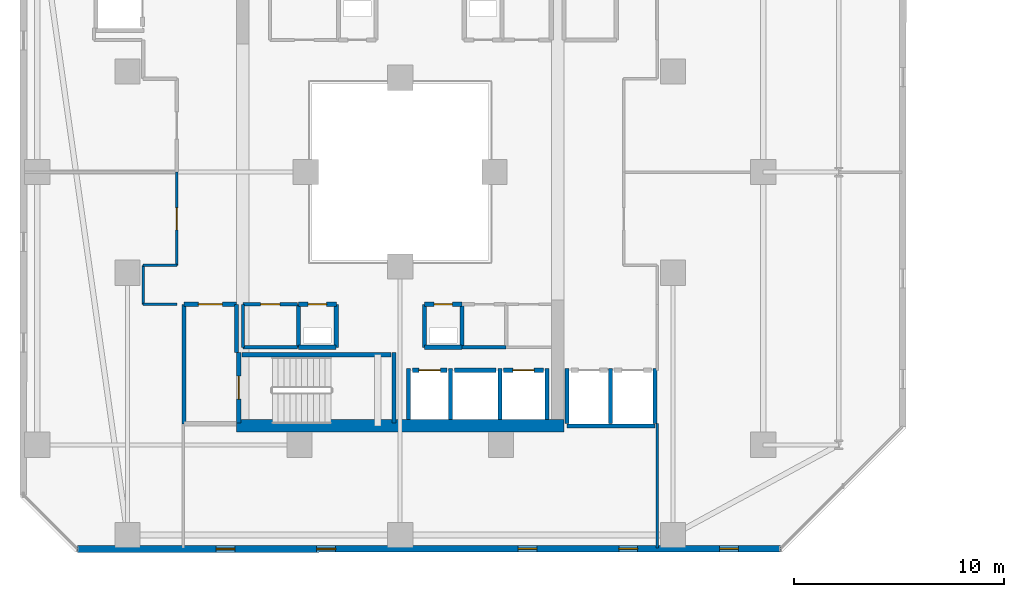
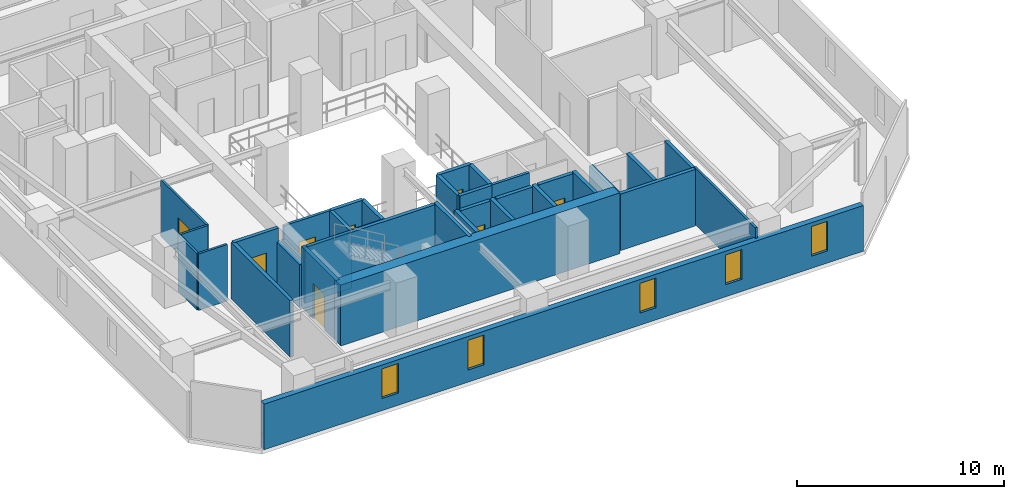
# One storey, part 16 of 30: 36 walls, 8 doors, 5 windows, 13 openings.
"""IFC4 building model written with IfcOpenShell, lengths in metres."""

from ifc_helpers import new_model, si_unit, direction, frame, frame_2d, origin, place, context, subcontext, project, spatial, rectangle, extrude, material, layer, layer_set, type_object, element, fill, save


model = new_model("IFC4")

# Units and contexts
model_context = context("Model", 3, precision=1e-05, world=origin(), true_north=direction((0.0, 1.0)))
body_context = subcontext(model_context, "Body", "Model", "MODEL_VIEW")
ifc_project = project(units=[si_unit("LENGTHUNIT", "METRE"), si_unit("AREAUNIT", "SQUARE_METRE"), si_unit("VOLUMEUNIT", "CUBIC_METRE"), si_unit("PLANEANGLEUNIT", "RADIAN"), si_unit("MASSUNIT", "GRAM", prefix="KILO")], contexts=[model_context])

# Site, building, storey
site_placement = place(None, origin())
site = spatial("IfcSite", under=ifc_project, at=site_placement, CompositionType="ELEMENT")
building_placement = place(site_placement, origin())
building = spatial("IfcBuilding", under=site, at=building_placement, Name="Thornwick Lancets Civic Towers", CompositionType="ELEMENT")
storey_placement = place(building_placement, frame((0.0, 0.0, 80.10009765625)))
storey = spatial("IfcBuildingStorey", under=building, at=storey_placement, Name="L20", CompositionType="ELEMENT", Elevation=80.10009765625)

# Wall, opening, door
ifc_material_1 = material(Name="Concrete blockwork C40/50", Category="masonry")
ifc_layer_1 = layer(ifc_material_1, 0.199951171875, Name="Concrete blockwork C40/50")
ifc_layer_set_1 = layer_set([ifc_layer_1], Name="Concrete blockwork C40/50")
wall_type_1 = type_object("IfcWallType", Name="WALL_COMP_200", PredefinedType="STANDARD", material=ifc_layer_set_1)
wall_1_placement = place(storey_placement, frame((26.080078125, 17.550048828125, 0.0), z_axis=(0.0, 0.0, 1.0), x_axis=(1.0, 0.0, 0.0)))
wall_1 = element("IfcWall", 1, at=wall_1_placement, inside=storey, type_object=wall_type_1, Name="L20 Hoistway Front Wall FL-A1", PredefinedType="STANDARD", context=body_context, shape_type="SweptSolid", body=[
    extrude(rectangle(XDim=1.639892578125, YDim=0.199951171875, at=frame_2d((0.81982421875, 0.0))), origin(), (0.0, 0.0, 1.0), 3.33984375),
])
opening_1_placement = place(wall_1_placement, frame((0.31005859375, 0.0, 0.0)))
opening_1 = element("IfcOpeningElement", 2, at=opening_1_placement, cuts=wall_1, Name="Opening LD-FL-A1", PredefinedType="OPENING", context=body_context, shape_type="SweptSolid", body=[
    extrude(rectangle(XDim=1.02001953125, YDim=2.06005859375, at=frame_2d((0.510009765625, 1.030029296875))), frame((0.0, 0.10986328125, 0.0), z_axis=(0.0, -1.0, 0.0), x_axis=(1.0, 0.0, 0.0)), (0.0, 0.0, 1.0), 0.219970703125),
])
ifc_material_2 = material(Name="Brushed bronze stainless steel", Category="steel")
door_type_1 = type_object("IfcDoorType", Name="DOOR_LIFT_SLIDE", OperationType="SLIDING_TO_LEFT", PredefinedType="DOOR", material=ifc_material_2)
door_1_placement = place(opening_1_placement, origin())
door_1 = element("IfcDoor", 3, at=door_1_placement, inside=storey, type_object=door_type_1, Name="L20 Sliding Lift Landing Door LD-FL-A1", OperationType="SLIDING_TO_LEFT", OverallHeight=2.06005859375, OverallWidth=1.02001953125, PredefinedType="DOOR", context=body_context, shape_type="SweptSolid", body=[
    extrude(rectangle(XDim=1.02001953125, YDim=2.06005859375, at=frame_2d((0.510009765625, 1.030029296875))), frame((0.0, 0.02490234375, 0.0), z_axis=(0.0, -1.0, 0.0), x_axis=(1.0, 0.0, 0.0)), (0.0, 0.0, 1.0), 0.050048828125),
])
fill(opening_1, door_1)

# Wall
wall_2_placement = place(storey_placement, frame((28.080078125, 17.550048828125, 0.0), z_axis=(0.0, 0.0, 1.0), x_axis=(1.0, 0.0, 0.0)))
element("IfcWall", 4, at=wall_2_placement, inside=storey, type_object=wall_type_1, Name="L20 Hoistway Front Wall PL-AH1", PredefinedType="STANDARD", context=body_context, shape_type="SweptSolid", body=[
    extrude(rectangle(XDim=1.989990234375, YDim=0.199951171875, at=frame_2d((0.9951171875, 0.0))), origin(), (0.0, 0.0, 1.0), 3.33984375),
])

# Wall, opening, door
wall_3_placement = place(storey_placement, frame((30.429931640625, 17.550048828125, 0.0), z_axis=(0.0, 0.0, 1.0), x_axis=(1.0, 0.0, 0.0)))
wall_3 = element("IfcWall", 5, at=wall_3_placement, inside=storey, type_object=wall_type_1, Name="L20 Hoistway Front Wall PL-AL1", PredefinedType="STANDARD", context=body_context, shape_type="SweptSolid", body=[
    extrude(rectangle(XDim=1.89013671875, YDim=0.199951171875, at=frame_2d((0.945068359375, 0.0))), origin(), (0.0, 0.0, 1.0), 3.33984375),
])
opening_2_placement = place(wall_3_placement, frame((0.43505859375, 0.0, 0.0)))
opening_2 = element("IfcOpeningElement", 6, at=opening_2_placement, cuts=wall_3, Name="Opening LD-PL-AL1", PredefinedType="OPENING", context=body_context, shape_type="SweptSolid", body=[
    extrude(rectangle(XDim=1.02001953125, YDim=2.06005859375, at=frame_2d((0.510009765625, 1.030029296875))), frame((0.0, 0.10986328125, 0.0), z_axis=(0.0, -1.0, 0.0), x_axis=(1.0, 0.0, 0.0)), (0.0, 0.0, 1.0), 0.219970703125),
])
door_2_placement = place(opening_2_placement, origin())
door_2 = element("IfcDoor", 7, at=door_2_placement, inside=storey, type_object=door_type_1, Name="L20 Sliding Lift Landing Door LD-PL-AL1", OperationType="SLIDING_TO_LEFT", OverallHeight=2.06005859375, OverallWidth=1.02001953125, PredefinedType="DOOR", context=body_context, shape_type="SweptSolid", body=[
    extrude(rectangle(XDim=1.02001953125, YDim=2.06005859375, at=frame_2d((0.510009765625, 1.030029296875))), frame((0.0, 0.02490234375, 0.0), z_axis=(0.0, -1.0, 0.0), x_axis=(1.0, 0.0, 0.0)), (0.0, 0.0, 1.0), 0.050048828125),
])
fill(opening_2, door_2)

# Walls
for number, where, z_axis, x_axis, name in (
    (8, (27.89990234375, 15.2119140625, 0.0), (0.0, 0.0, 1.0), (0.0, 1.0, 0.0), "L20 Hoistway Shaft Wall FL-A1 E"),
    (9, (25.89990234375, 15.2119140625, 0.0), (0.0, 0.0, 1.0), (0.0, 1.0, 0.0), "L20 Hoistway Shaft Wall FL-A1 W"),
    (10, (30.25, 15.2119140625, 0.0), (0.0, 0.0, 1.0), (0.0, 1.0, 0.0), "L20 Hoistway Shaft Wall PL-AH1 E"),
    (11, (32.5, 15.2119140625, 0.0), (0.0, 0.0, 1.0), (0.0, 1.0, 0.0), "L20 Hoistway Shaft Wall PL-AL1 E"),
):
    element("IfcWall", number, at=place(storey_placement, frame(where, z_axis=z_axis, x_axis=x_axis)), inside=storey, type_object=wall_type_1, Name=name, PredefinedType="STANDARD", context=body_context, shape_type="SweptSolid", body=[
        extrude(rectangle(XDim=2.43603515625, YDim=0.199951171875, at=frame_2d((1.218017578125, 0.0))), origin(), (0.0, 0.0, 1.0), 3.33984375),
    ])
wall_4_placement = place(storey_placement, frame((33.451904296875, 14.89990234375, 0.0), z_axis=(0.0, 0.0, 1.0), x_axis=(1.0, 0.0, 0.0)))
element("IfcWall", 12, at=wall_4_placement, inside=storey, type_object=wall_type_1, Name="L20 Hoistway Shaft Wall PL-AL2 S", PredefinedType="STANDARD", context=body_context, shape_type="SweptSolid", body=[
    extrude(rectangle(XDim=4.196044921875, YDim=0.199951171875, at=frame_2d((2.09814453125, 0.0))), origin(), (0.0, 0.0, 1.0), 3.33984375),
])
for number, where, z_axis, x_axis, name in (
    (13, (35.52490234375, 15.011962890625, 0.0), (0.0, 0.0, 1.0), (0.0, 1.0, 0.0), "L20 Hoistway Shaft Wall PL-AL2 E"),
    (14, (33.449951171875, 15.011962890625, 0.0), (0.0, 0.0, 1.0), (0.0, 1.0, 0.0), "L20 Hoistway Shaft Wall PL-AL2 W"),
    (15, (37.64990234375, 15.011962890625, 0.0), (0.0, 0.0, 1.0), (0.0, 1.0, 0.0), "L20 Hoistway Shaft Wall PL-AL3 E"),
):
    element("IfcWall", number, at=place(storey_placement, frame(where, z_axis=z_axis, x_axis=x_axis)), inside=storey, type_object=wall_type_1, Name=name, PredefinedType="STANDARD", context=body_context, shape_type="SweptSolid", body=[
        extrude(rectangle(XDim=2.635986328125, YDim=0.199951171875, at=frame_2d((1.31787109375, 0.0))), origin(), (0.0, 0.0, 1.0), 3.33984375),
    ])
wall_5_placement = place(storey_placement, frame((17.699951171875, 18.39990234375, 0.0), z_axis=(0.0, 0.0, 1.0), x_axis=(0.0, 1.0, 0.0)))
element("IfcWall", 16, at=wall_5_placement, inside=storey, type_object=wall_type_1, Name="L20 Partition L20-A-FFLOB1 E2", PredefinedType="STANDARD", context=body_context, shape_type="SweptSolid", body=[
    extrude(rectangle(XDim=2.300048828125, YDim=0.199951171875, at=frame_2d((1.14990234375, 0.0))), origin(), (0.0, 0.0, 1.0), 2.544921875),
])

# Wall, opening, door
wall_6_placement = place(storey_placement, frame((17.699951171875, 20.699951171875, 0.0), z_axis=(0.0, 0.0, 1.0), x_axis=(-1.0, 0.0, 0.0)))
wall_6 = element("IfcWall", 17, at=wall_6_placement, inside=storey, type_object=wall_type_1, Name="L20 Partition L20-A-FFLOB1 E3", PredefinedType="STANDARD", context=body_context, shape_type="SweptSolid", body=[
    extrude(rectangle(XDim=2.5, YDim=0.199951171875, at=frame_2d((1.25, 0.0))), origin(), (0.0, 0.0, 1.0), 3.33984375),
])
opening_3_placement = place(wall_6_placement, frame((0.675048828125, 0.0, 0.0)))
opening_3 = element("IfcOpeningElement", 18, at=opening_3_placement, cuts=wall_6, Name="Opening D-L20-0931", PredefinedType="OPENING", context=body_context, shape_type="SweptSolid", body=[
    extrude(rectangle(XDim=1.14990234375, YDim=2.10009765625, at=frame_2d((0.574951171875, 1.050048828125))), frame((0.0, 0.10986328125, 0.0), z_axis=(0.0, -1.0, 0.0), x_axis=(1.0, 0.0, 0.0)), (0.0, 0.0, 1.0), 0.219970703125),
])
ifc_material_3 = material(Name="Glazed fire-resisting steel", Category="steel")
door_type_2 = type_object("IfcDoorType", Name="DOOR_LOBBY_FD60", OperationType="NOTDEFINED", PredefinedType="DOOR", material=ifc_material_3)
door_3_placement = place(opening_3_placement, origin())
door_3 = element("IfcDoor", 19, at=door_3_placement, inside=storey, type_object=door_type_2, Name="L20 South Firefighting Lobby 1 Door", OperationType="SINGLE_SWING_RIGHT", OverallHeight=2.10009765625, OverallWidth=1.14990234375, PredefinedType="DOOR", context=body_context, shape_type="SweptSolid", body=[
    extrude(rectangle(XDim=1.14990234375, YDim=2.10009765625, at=frame_2d((0.574951171875, 1.050048828125))), frame((0.0, 0.02490234375, 0.0), z_axis=(0.0, -1.0, 0.0), x_axis=(1.0, 0.0, 0.0)), (0.0, 0.0, 1.0), 0.050048828125),
])
fill(opening_3, door_3)

# Walls
wall_7_placement = place(storey_placement, frame((15.199951171875, 20.699951171875, 0.0), z_axis=(0.0, 0.0, 1.0), x_axis=(0.0, -1.0, 0.0)))
element("IfcWall", 20, at=wall_7_placement, inside=storey, type_object=wall_type_1, Name="L20 Partition L20-A-FFLOB1 E4", PredefinedType="STANDARD", context=body_context, shape_type="SweptSolid", body=[
    extrude(rectangle(XDim=5.699951171875, YDim=0.199951171875, at=frame_2d((2.85009765625, 0.0))), origin(), (0.0, 0.0, 1.0), 3.33984375),
])
wall_8_placement = place(storey_placement, frame((26.64990234375, 18.64990234375, 0.0), z_axis=(0.0, 0.0, 1.0), x_axis=(1.0, 0.0, 0.0)))
element("IfcWall", 21, at=wall_8_placement, inside=storey, type_object=wall_type_1, Name="L20 Partition L20-A-DUCT1 E1", PredefinedType="STANDARD", context=body_context, shape_type="SweptSolid", body=[
    extrude(rectangle(XDim=1.800048828125, YDim=0.199951171875, at=frame_2d((0.89990234375, 0.0))), origin(), (0.0, 0.0, 1.0), 3.33984375),
])
wall_9_placement = place(storey_placement, frame((28.449951171875, 18.64990234375, 0.0), z_axis=(0.0, 0.0, 1.0), x_axis=(0.0, 1.0, 0.0)))
element("IfcWall", 22, at=wall_9_placement, inside=storey, type_object=wall_type_1, Name="L20 Partition L20-A-DUCT1 E2", PredefinedType="STANDARD", context=body_context, shape_type="SweptSolid", body=[
    extrude(rectangle(XDim=2.050048828125, YDim=0.199951171875, at=frame_2d((1.02490234375, 0.0))), origin(), (0.0, 0.0, 1.0), 3.33984375),
])

# Wall, opening, door
wall_10_placement = place(storey_placement, frame((28.449951171875, 20.699951171875, 0.0), z_axis=(0.0, 0.0, 1.0), x_axis=(-1.0, 0.0, 0.0)))
wall_10 = element("IfcWall", 23, at=wall_10_placement, inside=storey, type_object=wall_type_1, Name="L20 Partition L20-A-DUCT1 E3", PredefinedType="STANDARD", context=body_context, shape_type="SweptSolid", body=[
    extrude(rectangle(XDim=1.800048828125, YDim=0.199951171875, at=frame_2d((0.89990234375, 0.0))), origin(), (0.0, 0.0, 1.0), 3.33984375),
])
opening_4_placement = place(wall_10_placement, frame((0.4599609375, 0.0, 0.0)))
opening_4 = element("IfcOpeningElement", 24, at=opening_4_placement, cuts=wall_10, Name="Opening D-L20-0933", PredefinedType="OPENING", context=body_context, shape_type="SweptSolid", body=[
    extrude(rectangle(XDim=0.8798828125, YDim=2.0400390625, at=frame_2d((0.43994140625, 1.02001953125))), frame((0.0, 0.10986328125, 0.0), z_axis=(0.0, -1.0, 0.0), x_axis=(1.0, 0.0, 0.0)), (0.0, 0.0, 1.0), 0.219970703125),
])
ifc_material_4 = material(Name="Steel riser access doorset", Category="steel")
door_type_3 = type_object("IfcDoorType", Name="DOOR_RISER_850", OperationType="NOTDEFINED", PredefinedType="DOOR", material=ifc_material_4)
door_4_placement = place(opening_4_placement, origin())
door_4 = element("IfcDoor", 25, at=door_4_placement, inside=storey, type_object=door_type_3, Name="L20 South Service Duct 1 Door", OperationType="SINGLE_SWING_RIGHT", OverallHeight=2.0400390625, OverallWidth=0.8798828125, PredefinedType="DOOR", context=body_context, shape_type="SweptSolid", body=[
    extrude(rectangle(XDim=0.8798828125, YDim=2.0400390625, at=frame_2d((0.43994140625, 1.02001953125))), frame((0.0, 0.02490234375, 0.0), z_axis=(0.0, -1.0, 0.0), x_axis=(1.0, 0.0, 0.0)), (0.0, 0.0, 1.0), 0.050048828125),
])
fill(opening_4, door_4)

# Walls
wall_11_placement = place(storey_placement, frame((26.64990234375, 20.699951171875, 0.0), z_axis=(0.0, 0.0, 1.0), x_axis=(0.0, -1.0, 0.0)))
element("IfcWall", 26, at=wall_11_placement, inside=storey, type_object=wall_type_1, Name="L20 Partition L20-A-DUCT1 E4", PredefinedType="STANDARD", context=body_context, shape_type="SweptSolid", body=[
    extrude(rectangle(XDim=2.050048828125, YDim=0.199951171875, at=frame_2d((1.02490234375, 0.0))), origin(), (0.0, 0.0, 1.0), 3.33984375),
])
wall_12_placement = place(storey_placement, frame((20.64990234375, 18.64990234375, 0.0), z_axis=(0.0, 0.0, 1.0), x_axis=(1.0, 0.0, 0.0)))
element("IfcWall", 27, at=wall_12_placement, inside=storey, type_object=wall_type_1, Name="L20 Partition L20-A-RISER1 E1", PredefinedType="STANDARD", context=body_context, shape_type="SweptSolid", body=[
    extrude(rectangle(XDim=1.800048828125, YDim=0.199951171875, at=frame_2d((0.89990234375, 0.0))), origin(), (0.0, 0.0, 1.0), 3.33984375),
])
wall_13_placement = place(storey_placement, frame((22.449951171875, 18.64990234375, 0.0), z_axis=(0.0, 0.0, 1.0), x_axis=(0.0, 1.0, 0.0)))
element("IfcWall", 28, at=wall_13_placement, inside=storey, type_object=wall_type_1, Name="L20 Partition L20-A-RISER1 E2", PredefinedType="STANDARD", context=body_context, shape_type="SweptSolid", body=[
    extrude(rectangle(XDim=2.050048828125, YDim=0.199951171875, at=frame_2d((1.02490234375, 0.0))), origin(), (0.0, 0.0, 1.0), 3.33984375),
])

# Wall, opening, door
wall_14_placement = place(storey_placement, frame((22.449951171875, 20.699951171875, 0.0), z_axis=(0.0, 0.0, 1.0), x_axis=(-1.0, 0.0, 0.0)))
wall_14 = element("IfcWall", 29, at=wall_14_placement, inside=storey, type_object=wall_type_1, Name="L20 Partition L20-A-RISER1 E3", PredefinedType="STANDARD", context=body_context, shape_type="SweptSolid", body=[
    extrude(rectangle(XDim=1.800048828125, YDim=0.199951171875, at=frame_2d((0.89990234375, 0.0))), origin(), (0.0, 0.0, 1.0), 3.33984375),
])
opening_5_placement = place(wall_14_placement, frame((0.4599609375, 0.0, 0.0)))
opening_5 = element("IfcOpeningElement", 30, at=opening_5_placement, cuts=wall_14, Name="Opening D-L20-0934", PredefinedType="OPENING", context=body_context, shape_type="SweptSolid", body=[
    extrude(rectangle(XDim=0.8798828125, YDim=2.0400390625, at=frame_2d((0.43994140625, 1.02001953125))), frame((0.0, 0.10986328125, 0.0), z_axis=(0.0, -1.0, 0.0), x_axis=(1.0, 0.0, 0.0)), (0.0, 0.0, 1.0), 0.219970703125),
])
door_5_placement = place(opening_5_placement, origin())
door_5 = element("IfcDoor", 31, at=door_5_placement, inside=storey, type_object=door_type_3, Name="L20 South Electrical Riser 1 Door", OperationType="SINGLE_SWING_LEFT", OverallHeight=2.0400390625, OverallWidth=0.8798828125, PredefinedType="DOOR", context=body_context, shape_type="SweptSolid", body=[
    extrude(rectangle(XDim=0.8798828125, YDim=2.0400390625, at=frame_2d((0.43994140625, 1.02001953125))), frame((0.0, 0.02490234375, 0.0), z_axis=(0.0, -1.0, 0.0), x_axis=(1.0, 0.0, 0.0)), (0.0, 0.0, 1.0), 0.050048828125),
])
fill(opening_5, door_5)

# Walls
wall_15_placement = place(storey_placement, frame((20.64990234375, 20.699951171875, 0.0), z_axis=(0.0, 0.0, 1.0), x_axis=(0.0, -1.0, 0.0)))
element("IfcWall", 32, at=wall_15_placement, inside=storey, type_object=wall_type_1, Name="L20 Partition L20-A-RISER1 E4", PredefinedType="STANDARD", context=body_context, shape_type="SweptSolid", body=[
    extrude(rectangle(XDim=2.050048828125, YDim=0.199951171875, at=frame_2d((1.02490234375, 0.0))), origin(), (0.0, 0.0, 1.0), 3.33984375),
])
ifc_material_5 = material(Name="Concrete C60/75", Category="concrete")
ifc_layer_2 = layer(ifc_material_5, 0.60009765625, Name="Concrete C60/75")
ifc_layer_set_2 = layer_set([ifc_layer_2], Name="Concrete C60/75")
wall_type_2 = type_object("IfcWallType", Name="WALL_CORE_600", PredefinedType="SHEAR", material=ifc_layer_set_2)
wall_16_placement = place(storey_placement, frame((17.699951171875, 14.89990234375, 0.0), z_axis=(0.0, 0.0, 1.0), x_axis=(1.0, 0.0, 0.0)))
element("IfcWall", 33, at=wall_16_placement, inside=storey, type_object=wall_type_2, Name="L20 Split Core A1 Shear Wall S", PredefinedType="SHEAR", context=body_context, shape_type="SweptSolid", body=[
    extrude(rectangle(XDim=15.60009765625, YDim=0.60009765625, at=frame_2d((7.800048828125, 0.0))), origin(), (0.0, 0.0, 1.0), 3.599853515625),
])

# Wall, openings, windows
ifc_material_6 = material(Name="Insulated buff terracotta rainscreen on concrete C40/50", Category="masonry")
ifc_layer_3 = layer(ifc_material_6, 0.320068359375, Name="Insulated buff terracotta rainscreen on concrete C40/50")
ifc_layer_set_3 = layer_set([ifc_layer_3], Name="Insulated buff terracotta rainscreen on concrete C40/50")
wall_type_3 = type_object("IfcWallType", Name="WALL_EXT_TERRA_320", PredefinedType="STANDARD", material=ifc_layer_set_3)
wall_17_placement = place(storey_placement, frame((10.11865234375, 9.035400390625, 0.0), z_axis=(0.0, 0.0, 1.0), x_axis=(0.999999950907, 0.000313347115, 0.0)))
wall_17 = element("IfcWall", 34, at=wall_17_placement, inside=storey, type_object=wall_type_3, Name="L20 Tower A Terracotta Facade Wall E0", PredefinedType="STANDARD", context=body_context, shape_type="SweptSolid", body=[
    extrude(rectangle(XDim=33.5029296875, YDim=0.320068359375, at=frame_2d((16.75146484375, 0.0))), origin(), (0.0, 0.0, 1.0), 2.699951171875),
])
opening_6_placement = place(wall_17_placement, frame((6.60009765625, 0.0, 0.719970703125)))
opening_6 = element("IfcOpeningElement", 35, at=opening_6_placement, cuts=wall_17, Name="Opening WL-01", PredefinedType="OPENING", context=body_context, shape_type="SweptSolid", body=[
    extrude(rectangle(XDim=0.89990234375, YDim=1.75, at=frame_2d((0.449951171875, 0.875))), frame((0.0, 0.169921875, 0.0), z_axis=(0.0, -1.0, 0.0), x_axis=(1.0, 0.0, 0.0)), (0.0, 0.0, 1.0), 0.340087890625),
])
opening_7_placement = place(wall_17_placement, frame((11.39990234375, 0.0, 0.719970703125)))
opening_7 = element("IfcOpeningElement", 36, at=opening_7_placement, cuts=wall_17, Name="Opening WL-01", PredefinedType="OPENING", context=body_context, shape_type="SweptSolid", body=[
    extrude(rectangle(XDim=0.89990234375, YDim=1.75, at=frame_2d((0.449951171875, 0.875))), frame((0.0, 0.169921875, 0.0), z_axis=(0.0, -1.0, 0.0), x_axis=(1.0, 0.0, 0.0)), (0.0, 0.0, 1.0), 0.340087890625),
])
opening_8_placement = place(wall_17_placement, frame((21.0, 0.0, 0.719970703125)))
opening_8 = element("IfcOpeningElement", 37, at=opening_8_placement, cuts=wall_17, Name="Opening WL-01", PredefinedType="OPENING", context=body_context, shape_type="SweptSolid", body=[
    extrude(rectangle(XDim=0.89990234375, YDim=1.75, at=frame_2d((0.449951171875, 0.875))), frame((0.0, 0.169921875, 0.0), z_axis=(0.0, -1.0, 0.0), x_axis=(1.0, 0.0, 0.0)), (0.0, 0.0, 1.0), 0.340087890625),
])
opening_9_placement = place(wall_17_placement, frame((25.800048828125, 0.0, 0.719970703125)))
opening_9 = element("IfcOpeningElement", 38, at=opening_9_placement, cuts=wall_17, Name="Opening WL-01", PredefinedType="OPENING", context=body_context, shape_type="SweptSolid", body=[
    extrude(rectangle(XDim=0.89990234375, YDim=1.75, at=frame_2d((0.449951171875, 0.875))), frame((0.0, 0.169921875, 0.0), z_axis=(0.0, -1.0, 0.0), x_axis=(1.0, 0.0, 0.0)), (0.0, 0.0, 1.0), 0.340087890625),
])
opening_10_placement = place(wall_17_placement, frame((30.60009765625, 0.0, 0.719970703125)))
opening_10 = element("IfcOpeningElement", 39, at=opening_10_placement, cuts=wall_17, Name="Opening WL-01", PredefinedType="OPENING", context=body_context, shape_type="SweptSolid", body=[
    extrude(rectangle(XDim=0.89990234375, YDim=1.75, at=frame_2d((0.449951171875, 0.875))), frame((0.0, 0.169921875, 0.0), z_axis=(0.0, -1.0, 0.0), x_axis=(1.0, 0.0, 0.0)), (0.0, 0.0, 1.0), 0.340087890625),
])
ifc_material_7 = material(Name="Clear low-e double glazing in bronze frame", Category="glass")
window_type = type_object("IfcWindowType", Name="WIN_LANCET_900", PartitioningType="SINGLE_PANEL", PredefinedType="WINDOW", material=ifc_material_7)
window_1_placement = place(opening_6_placement, origin())
window_1 = element("IfcWindow", 40, at=window_1_placement, inside=storey, type_object=window_type, Name="L20 Tower A Staggered Lancet Window E0-1", OverallHeight=1.75, OverallWidth=0.89990234375, PartitioningType="SINGLE_PANEL", PredefinedType="WINDOW", context=body_context, shape_type="SweptSolid", body=[
    extrude(rectangle(XDim=0.89990234375, YDim=1.75, at=frame_2d((0.449951171875, 0.875))), frame((0.0, 0.030029296875, 0.0), z_axis=(0.0, -1.0, 0.0), x_axis=(1.0, 0.0, 0.0)), (0.0, 0.0, 1.0), 0.06005859375),
])
fill(opening_6, window_1)
window_2_placement = place(opening_7_placement, origin())
window_2 = element("IfcWindow", 41, at=window_2_placement, inside=storey, type_object=window_type, Name="L20 Tower A Staggered Lancet Window E0-2", OverallHeight=1.75, OverallWidth=0.89990234375, PartitioningType="SINGLE_PANEL", PredefinedType="WINDOW", context=body_context, shape_type="SweptSolid", body=[
    extrude(rectangle(XDim=0.89990234375, YDim=1.75, at=frame_2d((0.449951171875, 0.875))), frame((0.0, 0.030029296875, 0.0), z_axis=(0.0, -1.0, 0.0), x_axis=(1.0, 0.0, 0.0)), (0.0, 0.0, 1.0), 0.06005859375),
])
fill(opening_7, window_2)
window_3_placement = place(opening_8_placement, origin())
window_3 = element("IfcWindow", 42, at=window_3_placement, inside=storey, type_object=window_type, Name="L20 Tower A Staggered Lancet Window E0-3", OverallHeight=1.75, OverallWidth=0.89990234375, PartitioningType="SINGLE_PANEL", PredefinedType="WINDOW", context=body_context, shape_type="SweptSolid", body=[
    extrude(rectangle(XDim=0.89990234375, YDim=1.75, at=frame_2d((0.449951171875, 0.875))), frame((0.0, 0.030029296875, 0.0), z_axis=(0.0, -1.0, 0.0), x_axis=(1.0, 0.0, 0.0)), (0.0, 0.0, 1.0), 0.06005859375),
])
fill(opening_8, window_3)
window_4_placement = place(opening_9_placement, origin())
window_4 = element("IfcWindow", 43, at=window_4_placement, inside=storey, type_object=window_type, Name="L20 Tower A Staggered Lancet Window E0-4", OverallHeight=1.75, OverallWidth=0.89990234375, PartitioningType="SINGLE_PANEL", PredefinedType="WINDOW", context=body_context, shape_type="SweptSolid", body=[
    extrude(rectangle(XDim=0.89990234375, YDim=1.75, at=frame_2d((0.449951171875, 0.875))), frame((0.0, 0.030029296875, 0.0), z_axis=(0.0, -1.0, 0.0), x_axis=(1.0, 0.0, 0.0)), (0.0, 0.0, 1.0), 0.06005859375),
])
fill(opening_9, window_4)
window_5_placement = place(opening_10_placement, origin())
window_5 = element("IfcWindow", 44, at=window_5_placement, inside=storey, type_object=window_type, Name="L20 Tower A Staggered Lancet Window E0-5", OverallHeight=1.75, OverallWidth=0.89990234375, PartitioningType="SINGLE_PANEL", PredefinedType="WINDOW", context=body_context, shape_type="SweptSolid", body=[
    extrude(rectangle(XDim=0.89990234375, YDim=1.75, at=frame_2d((0.449951171875, 0.875))), frame((0.0, 0.030029296875, 0.0), z_axis=(0.0, -1.0, 0.0), x_axis=(1.0, 0.0, 0.0)), (0.0, 0.0, 1.0), 0.06005859375),
])
fill(opening_10, window_5)

# Wall, opening, door
ifc_material_8 = material(Name="Acoustic gypsum board partition")
ifc_layer_4 = layer(ifc_material_8, 0.1201171875, Name="Acoustic gypsum board partition")
ifc_layer_set_4 = layer_set([ifc_layer_4], Name="Acoustic gypsum board partition")
wall_type_4 = type_object("IfcWallType", Name="WALL_PART_120", PredefinedType="PARTITIONING", material=ifc_layer_set_4)
wall_18_placement = place(storey_placement, frame((14.85009765625, 27.0, 0.0), z_axis=(0.0, 0.0, 1.0), x_axis=(0.0, -1.0, 0.0)))
wall_18 = element("IfcWall", 45, at=wall_18_placement, inside=storey, type_object=wall_type_4, Name="L20 Partition L20-A-W1 E3", PredefinedType="PARTITIONING", context=body_context, shape_type="SweptSolid", body=[
    extrude(rectangle(XDim=4.449951171875, YDim=0.1201171875, at=frame_2d((2.22509765625, 0.0))), origin(), (0.0, 0.0, 1.0), 3.33984375),
])
opening_11_placement = place(wall_18_placement, frame((1.699951171875, 0.0, 0.0)))
opening_11 = element("IfcOpeningElement", 46, at=opening_11_placement, cuts=wall_18, Name="Opening D-L20-0953", PredefinedType="OPENING", context=body_context, shape_type="SweptSolid", body=[
    extrude(rectangle(XDim=1.050048828125, YDim=2.10009765625, at=frame_2d((0.52490234375, 1.050048828125))), frame((0.0, 0.070068359375, 0.0), z_axis=(0.0, -1.0, 0.0), x_axis=(1.0, 0.0, 0.0)), (0.0, 0.0, 1.0), 0.14013671875),
])
ifc_material_9 = material(Name="Glazed European oak executive doorset")
door_type_4 = type_object("IfcDoorType", Name="DOOR_OFFICE_1050", OperationType="NOTDEFINED", PredefinedType="DOOR", material=ifc_material_9)
door_6_placement = place(opening_11_placement, origin())
door_6 = element("IfcDoor", 47, at=door_6_placement, inside=storey, type_object=door_type_4, Name="L20 Tower A Ministry Directorate Office W1 Door", OperationType="SINGLE_SWING_RIGHT", OverallHeight=2.10009765625, OverallWidth=1.050048828125, PredefinedType="DOOR", context=body_context, shape_type="SweptSolid", body=[
    extrude(rectangle(XDim=1.050048828125, YDim=2.10009765625, at=frame_2d((0.52490234375, 1.050048828125))), frame((0.0, 0.02490234375, 0.0), z_axis=(0.0, -1.0, 0.0), x_axis=(1.0, 0.0, 0.0)), (0.0, 0.0, 1.0), 0.050048828125),
])
fill(opening_11, door_6)

# Walls
wall_19_placement = place(storey_placement, frame((14.85009765625, 22.550048828125, 0.0), z_axis=(0.0, 0.0, 1.0), x_axis=(-1.0, 0.0, 0.0)))
element("IfcWall", 48, at=wall_19_placement, inside=storey, type_object=wall_type_4, Name="L20 Partition L20-A-W1 E4", PredefinedType="PARTITIONING", context=body_context, shape_type="SweptSolid", body=[
    extrude(rectangle(XDim=1.60009765625, YDim=0.1201171875, at=frame_2d((0.800048828125, 0.0))), origin(), (0.0, 0.0, 1.0), 3.33984375),
])
wall_20_placement = place(storey_placement, frame((13.25, 22.550048828125, 0.0), z_axis=(0.0, 0.0, 1.0), x_axis=(0.0, -1.0, 0.0)))
element("IfcWall", 49, at=wall_20_placement, inside=storey, type_object=wall_type_4, Name="L20 Partition L20-A-W1 E5", PredefinedType="PARTITIONING", context=body_context, shape_type="SweptSolid", body=[
    extrude(rectangle(XDim=1.85009765625, YDim=0.1201171875, at=frame_2d((0.925048828125, 0.0))), origin(), (0.0, 0.0, 1.0), 3.33984375),
])
wall_21_placement = place(storey_placement, frame((13.25, 20.699951171875, 0.0), z_axis=(0.0, 0.0, 1.0), x_axis=(1.0, 0.0, 0.0)))
element("IfcWall", 50, at=wall_21_placement, inside=storey, type_object=wall_type_4, Name="L20 Partition L20-A-W1 E6", PredefinedType="PARTITIONING", context=body_context, shape_type="SweptSolid", body=[
    extrude(rectangle(XDim=1.60009765625, YDim=0.1201171875, at=frame_2d((0.800048828125, 0.0))), origin(), (0.0, 0.0, 1.0), 3.33984375),
])
wall_22_placement = place(storey_placement, frame((37.75, 9.080078125, 0.0), z_axis=(0.0, 0.0, 1.0), x_axis=(0.0, 1.0, 0.0)))
element("IfcWall", 51, at=wall_22_placement, inside=storey, type_object=wall_type_4, Name="L20 Partition L20-A-E1 E9", PredefinedType="PARTITIONING", context=body_context, shape_type="SweptSolid", body=[
    extrude(rectangle(XDim=5.931884765625, YDim=0.1201171875, at=frame_2d((2.9658203125, 0.0))), origin(), (0.0, 0.0, 1.0), 3.33984375),
])
ifc_material_10 = material(Name="Twin-stud acoustic gypsum board")
ifc_layer_5 = layer(ifc_material_10, 0.14990234375, Name="Twin-stud acoustic gypsum board")
ifc_layer_set_5 = layer_set([ifc_layer_5], Name="Twin-stud acoustic gypsum board")
wall_type_5 = type_object("IfcWallType", Name="WALL_PART_150", PredefinedType="PARTITIONING", material=ifc_layer_set_5)
wall_23_placement = place(storey_placement, frame((18.0, 18.64990234375, 0.0), z_axis=(0.0, 0.0, 1.0), x_axis=(1.0, 0.0, 0.0)))
element("IfcWall", 52, at=wall_23_placement, inside=storey, type_object=wall_type_5, Name="L20 Partition L20-A-AWC E1", PredefinedType="PARTITIONING", context=body_context, shape_type="SweptSolid", body=[
    extrude(rectangle(XDim=2.60009765625, YDim=0.14990234375, at=frame_2d((1.300048828125, 0.0))), origin(), (0.0, 0.0, 1.0), 3.33984375),
])

# Wall, opening, door
wall_24_placement = place(storey_placement, frame((20.60009765625, 20.699951171875, 0.0), z_axis=(0.0, 0.0, 1.0), x_axis=(-1.0, 0.0, 0.0)))
wall_24 = element("IfcWall", 53, at=wall_24_placement, inside=storey, type_object=wall_type_5, Name="L20 Partition L20-A-AWC E3", PredefinedType="PARTITIONING", context=body_context, shape_type="SweptSolid", body=[
    extrude(rectangle(XDim=2.60009765625, YDim=0.14990234375, at=frame_2d((1.300048828125, 0.0))), origin(), (0.0, 0.0, 1.0), 3.33984375),
])
opening_12_placement = place(wall_24_placement, frame((0.840087890625, 0.0, 0.0)))
opening_12 = element("IfcOpeningElement", 54, at=opening_12_placement, cuts=wall_24, Name="Opening D-L20-0937", PredefinedType="OPENING", context=body_context, shape_type="SweptSolid", body=[
    extrude(rectangle(XDim=0.919921875, YDim=2.080078125, at=frame_2d((0.4599609375, 1.0400390625))), frame((0.0, 0.0849609375, 0.0), z_axis=(0.0, -1.0, 0.0), x_axis=(1.0, 0.0, 0.0)), (0.0, 0.0, 1.0), 0.169921875),
])
ifc_material_11 = material(Name="Moisture-resistant oak doorset")
door_type_5 = type_object("IfcDoorType", Name="DOOR_WC_900", OperationType="NOTDEFINED", PredefinedType="DOOR", material=ifc_material_11)
door_7_placement = place(opening_12_placement, origin())
door_7 = element("IfcDoor", 55, at=door_7_placement, inside=storey, type_object=door_type_5, Name="L20 Tower A Accessible WC Door", OperationType="SINGLE_SWING_RIGHT", OverallHeight=2.080078125, OverallWidth=0.919921875, PredefinedType="DOOR", context=body_context, shape_type="SweptSolid", body=[
    extrude(rectangle(XDim=0.919921875, YDim=2.080078125, at=frame_2d((0.4599609375, 1.0400390625))), frame((0.0, 0.02490234375, 0.0), z_axis=(0.0, -1.0, 0.0), x_axis=(1.0, 0.0, 0.0)), (0.0, 0.0, 1.0), 0.050048828125),
])
fill(opening_12, door_7)

# Walls
wall_25_placement = place(storey_placement, frame((18.0, 20.699951171875, 0.0), z_axis=(0.0, 0.0, 1.0), x_axis=(0.0, -1.0, 0.0)))
element("IfcWall", 56, at=wall_25_placement, inside=storey, type_object=wall_type_5, Name="L20 Partition L20-A-AWC E4", PredefinedType="PARTITIONING", context=body_context, shape_type="SweptSolid", body=[
    extrude(rectangle(XDim=2.050048828125, YDim=0.14990234375, at=frame_2d((1.02490234375, 0.0))), origin(), (0.0, 0.0, 1.0), 2.544921875),
])
wall_26_placement = place(storey_placement, frame((30.550048828125, 18.64990234375, 0.0), z_axis=(0.0, 0.0, 1.0), x_axis=(-1.0, 0.0, 0.0)))
element("IfcWall", 57, at=wall_26_placement, inside=storey, type_object=wall_type_5, Name="L20 Partition L20-A-MWC E2", PredefinedType="PARTITIONING", context=body_context, shape_type="SweptSolid", body=[
    extrude(rectangle(XDim=2.10009765625, YDim=0.14990234375, at=frame_2d((1.050048828125, 0.0))), origin(), (0.0, 0.0, 1.0), 3.33984375),
])

# Wall, opening, door
ifc_material_12 = material(Name="Concrete C40/50", Category="concrete")
ifc_layer_6 = layer(ifc_material_12, 0.199951171875, Name="Concrete C40/50")
ifc_layer_set_6 = layer_set([ifc_layer_6], Name="Concrete C40/50")
wall_type_6 = type_object("IfcWallType", Name="WALL_SHAFT_200", PredefinedType="SHEAR", material=ifc_layer_set_6)
wall_27_placement = place(storey_placement, frame((17.800048828125, 15.050048828125, 0.0), z_axis=(0.0, 0.0, 1.0), x_axis=(0.0, 1.0, 0.0)))
wall_27 = element("IfcWall", 58, at=wall_27_placement, inside=storey, type_object=wall_type_6, Name="L20 ST-A1 Fire Stair Core Wall NEAR", PredefinedType="SHEAR", context=body_context, shape_type="SweptSolid", body=[
    extrude(rectangle(XDim=3.349853515625, YDim=0.199951171875, at=frame_2d((1.6748046875, 0.0))), origin(), (0.0, 0.0, 1.0), 3.599853515625),
])
opening_13_placement = place(wall_27_placement, frame((1.125, 0.0, 0.0)))
opening_13 = element("IfcOpeningElement", 59, at=opening_13_placement, cuts=wall_27, Name="Opening D-ST-A1-L20", PredefinedType="OPENING", context=body_context, shape_type="SweptSolid", body=[
    extrude(rectangle(XDim=1.10009765625, YDim=2.10009765625, at=frame_2d((0.550048828125, 1.050048828125))), frame((0.0, 0.10986328125, 0.0), z_axis=(0.0, -1.0, 0.0), x_axis=(1.0, 0.0, 0.0)), (0.0, 0.0, 1.0), 0.219970703125),
])
ifc_material_13 = material(Name="Fire-resisting steel and hardwood", Category="steel")
door_type_6 = type_object("IfcDoorType", Name="DOOR_STAIR_FD60", OperationType="NOTDEFINED", PredefinedType="DOOR", material=ifc_material_13)
door_8_placement = place(opening_13_placement, origin())
door_8 = element("IfcDoor", 60, at=door_8_placement, inside=storey, type_object=door_type_6, Name="L20 ST-A1 Exit Stair Door", OperationType="SINGLE_SWING_RIGHT", OverallHeight=2.10009765625, OverallWidth=1.10009765625, PredefinedType="DOOR", context=body_context, shape_type="SweptSolid", body=[
    extrude(rectangle(XDim=1.10009765625, YDim=2.10009765625, at=frame_2d((0.550048828125, 1.050048828125))), frame((0.0, 0.02490234375, 0.0), z_axis=(0.0, -1.0, 0.0), x_axis=(1.0, 0.0, 0.0)), (0.0, 0.0, 1.0), 0.050048828125),
])
fill(opening_13, door_8)

# Walls
wall_28_placement = place(storey_placement, frame((25.199951171875, 18.39990234375, 0.0), z_axis=(0.0, 0.0, 1.0), x_axis=(0.0, -1.0, 0.0)))
element("IfcWall", 61, at=wall_28_placement, inside=storey, type_object=wall_type_6, Name="L20 ST-A1 Fire Stair Core Wall FAR", PredefinedType="SHEAR", context=body_context, shape_type="SweptSolid", body=[
    extrude(rectangle(XDim=3.349853515625, YDim=0.199951171875, at=frame_2d((1.6748046875, 0.0))), origin(), (0.0, 0.0, 1.0), 3.599853515625),
])
wall_29_placement = place(storey_placement, frame((25.050048828125, 18.297119140625, 0.0), z_axis=(0.0, 0.0, 1.0), x_axis=(-1.0, 0.0, 0.0)))
element("IfcWall", 62, at=wall_29_placement, inside=storey, type_object=wall_type_6, Name="L20 ST-A1 Fire Stair Core Wall RIGHT", PredefinedType="SHEAR", context=body_context, shape_type="SweptSolid", body=[
    extrude(rectangle(XDim=7.10009765625, YDim=0.199951171875, at=frame_2d((3.550048828125, 0.0))), origin(), (0.0, 0.0, 1.0), 3.599853515625),
])

save(model, "model.ifc")
